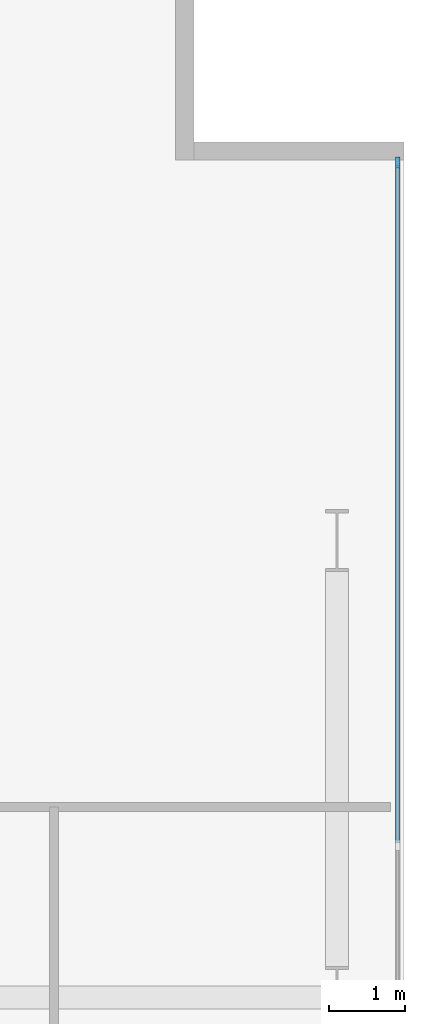
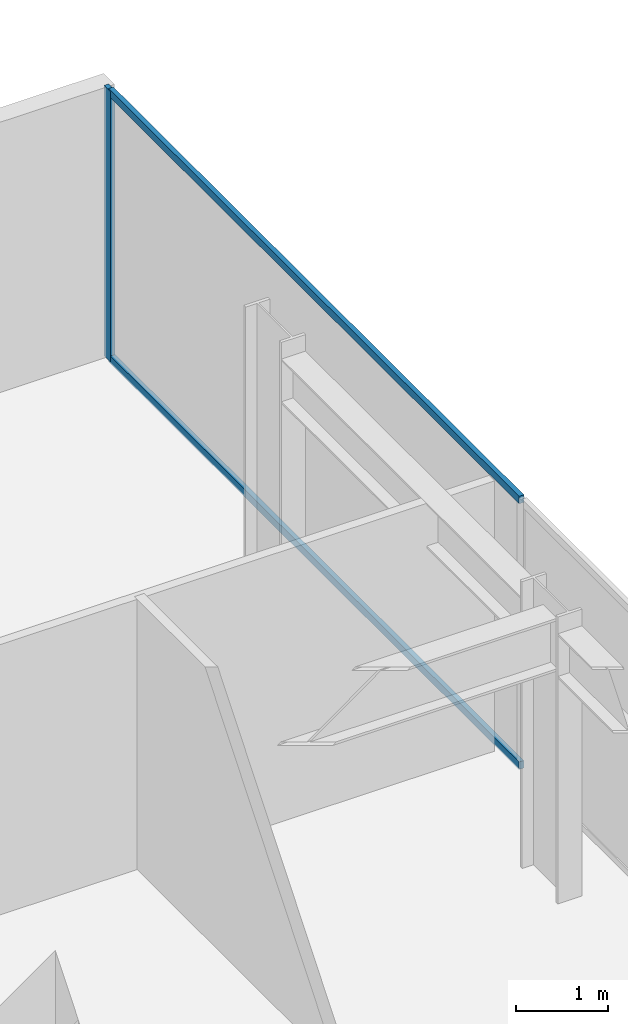
# One storey, part 15 of 24: 3 members, 1 element without a shape of its own.
"""IFC4 building model written with IfcOpenShell, lengths in metres."""

from ifc_helpers import new_model, si_unit, direction, frame, origin, origin_2d, place, context, subcontext, project, spatial, rectangle, extrude, material, layer, layer_set, material_profile, profile_set, type_object, element, aggregate, save


model = new_model("IFC4")

# Units and contexts
model_context = context("Model", 3, precision=1e-05, world=origin(), true_north=direction((0.0, 1.0)))
body_context = subcontext(model_context, "Body", "Model", "MODEL_VIEW")
ifc_project = project(units=[si_unit("LENGTHUNIT", "METRE"), si_unit("AREAUNIT", "SQUARE_METRE"), si_unit("VOLUMEUNIT", "CUBIC_METRE"), si_unit("PLANEANGLEUNIT", "RADIAN"), si_unit("MASSUNIT", "GRAM", prefix="KILO")], contexts=[model_context])

# Site, building, storey
site_placement = place(None, origin())
site = spatial("IfcSite", under=ifc_project, at=site_placement, CompositionType="ELEMENT")
building_placement = place(site_placement, origin())
building = spatial("IfcBuilding", under=site, at=building_placement, Name="Putna Gate Headquarters", CompositionType="ELEMENT")
storey_placement = place(building_placement, frame((0.0, 0.0, 236.60009765625)))
storey = spatial("IfcBuildingStorey", under=building, at=storey_placement, Name="L59", CompositionType="ELEMENT", Elevation=236.60009765625)

# Curtain wall, members
ifc_material_1 = material(Name="Anodised bronze aluminium curtain wall", Category="aluminium")
ifc_layer = layer(ifc_material_1, 0.139892578125)
ifc_layer_set = layer_set([ifc_layer], Name="Anodised bronze aluminium curtain wall")
curtain_wall_type = type_object("IfcCurtainWallType", Name="CW-SYS-Z4", PredefinedType="USERDEFINED", material=ifc_layer_set)
curtain_wall_placement = place(storey_placement, origin())
curtain_wall = element("IfcCurtainWall", 1, at=curtain_wall_placement, inside=storey, type_object=curtain_wall_type, Name="L59 East Curtain Wall", ObjectType="STICK CURTAIN WALL", PredefinedType="USERDEFINED")
ifc_material_2 = material(Name="Anodised bronze aluminium EN AW-6060", Category="aluminium")
ifc_material_profile_1 = material_profile(ifc_material_2, rectangle(XDim=0.06005859375, YDim=0.139892578125, at=origin_2d()), Name="Anodised bronze aluminium EN AW-6060")
ifc_profile_set_1 = profile_set([ifc_material_profile_1], Name="Anodised bronze aluminium EN AW-6060")
member_type_1 = type_object("IfcMemberType", Name="MULL-CWM-4", PredefinedType="MULLION", material=ifc_profile_set_1)
member_1_placement = place(storey_placement, frame((72.1201171875, 43.969970703125, 0.0), z_axis=(0.0, 0.0, 1.0), x_axis=(-1.0, 0.0, 0.0)))
member_1 = element("IfcMember", 2, at=member_1_placement, type_object=member_type_1, Name="CWS-4 mullion 5", PredefinedType="MULLION", context=body_context, shape_type="SweptSolid", body=[
    extrude(rectangle(XDim=0.06005859375, YDim=0.139892578125, at=origin_2d()), origin(), (0.0, 0.0, 1.0), 3.579833984375),
])
ifc_material_profile_2 = material_profile(ifc_material_2, rectangle(XDim=0.06005859375, YDim=0.10009765625, at=origin_2d()), Name="Anodised bronze aluminium EN AW-6060")
ifc_profile_set_2 = profile_set([ifc_material_profile_2], Name="Anodised bronze aluminium EN AW-6060")
member_type_2 = type_object("IfcMemberType", Name="TRAN-CWT-4", PredefinedType="USERDEFINED", material=ifc_profile_set_2)
member_2_placement = place(storey_placement, frame((72.1201171875, 35.030029296875, 0.02978515625), z_axis=(0.0, 1.0, 0.0), x_axis=(-1.0, 0.0, 0.0)))
member_2 = element("IfcMember", 3, at=member_2_placement, type_object=member_type_2, Name="CWS-4 transom 4.1", ObjectType="TRANSOM", PredefinedType="USERDEFINED", context=body_context, shape_type="SweptSolid", body=[
    extrude(rectangle(XDim=0.06005859375, YDim=0.10009765625, at=origin_2d()), origin(), (0.0, 0.0, 1.0), 8.909912109375),
])
member_3_placement = place(storey_placement, frame((72.1201171875, 35.030029296875, 3.5498046875), z_axis=(0.0, 1.0, 0.0), x_axis=(-1.0, 0.0, 0.0)))
member_3 = element("IfcMember", 4, at=member_3_placement, type_object=member_type_2, Name="CWS-4 transom 4.2", ObjectType="TRANSOM", PredefinedType="USERDEFINED", context=body_context, shape_type="SweptSolid", body=[
    extrude(rectangle(XDim=0.06005859375, YDim=0.10009765625, at=origin_2d()), origin(), (0.0, 0.0, 1.0), 8.909912109375),
])
aggregate(curtain_wall, [member_1, member_2, member_3])

save(model, "model.ifc")
